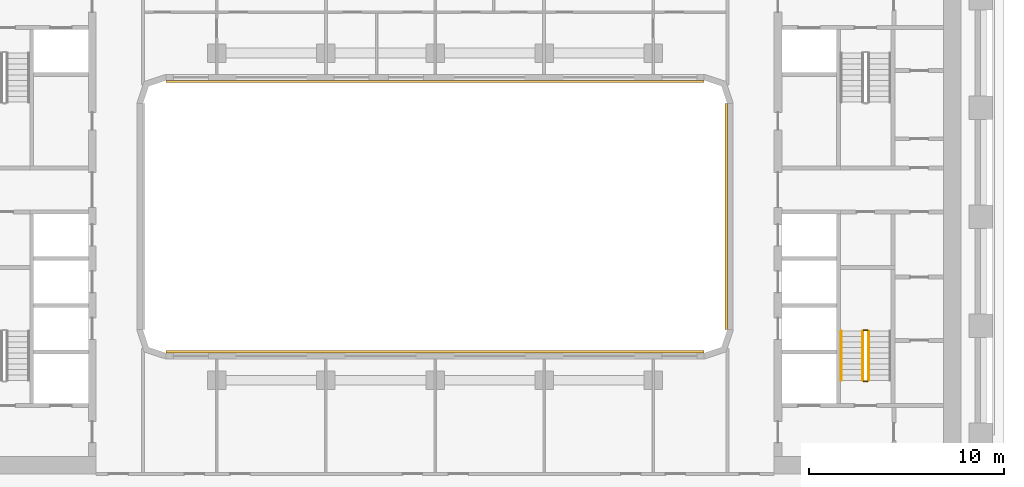
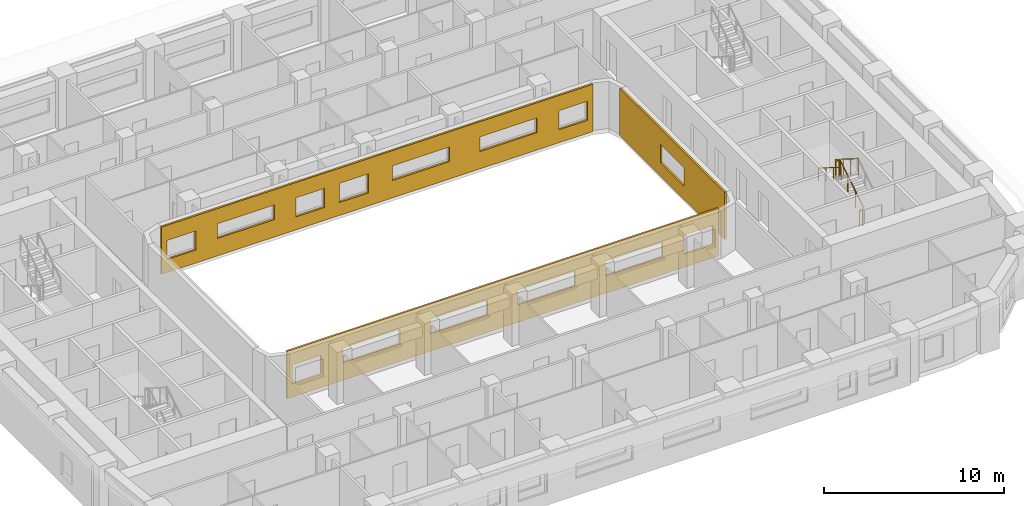
# One storey, part 16 of 21: 5 railings, 3 coverings.
"""IFC4 building model written with IfcOpenShell, lengths in metres."""

from ifc_helpers import new_model, si_unit, direction, frame, origin, origin_2d, place, context, subcontext, project, spatial, polyline, circle, outline, extrude, material, layer, layer_set, type_object, element, save


model = new_model("IFC4")

# Units and contexts
model_context = context("Model", 3, precision=1e-05, world=origin(), true_north=direction((0.0, 1.0)))
body_context = subcontext(model_context, "Body", "Model", "MODEL_VIEW")
ifc_project = project(units=[si_unit("LENGTHUNIT", "METRE"), si_unit("AREAUNIT", "SQUARE_METRE"), si_unit("VOLUMEUNIT", "CUBIC_METRE"), si_unit("PLANEANGLEUNIT", "RADIAN"), si_unit("MASSUNIT", "GRAM", prefix="KILO")], contexts=[model_context])

# Site, building, storey
site_placement = place(None, origin())
site = spatial("IfcSite", under=ifc_project, at=site_placement, CompositionType="ELEMENT")
building_placement = place(site_placement, origin())
building = spatial("IfcBuilding", under=site, at=building_placement, Name="Kiln Ring Residences", CompositionType="ELEMENT")
storey_placement = place(building_placement, frame((0.0, 0.0, 114.800048828125)))
storey = spatial("IfcBuildingStorey", under=building, at=storey_placement, Name="L29", CompositionType="ELEMENT", Elevation=114.800048828125)

# Railings
ifc_material_1 = material(Name="Stainless steel", Category="steel")
railing_type_1 = type_object("IfcRailingType", Name="CORE-STAIR-GUARD", PredefinedType="GUARDRAIL", material=ifc_material_1)
railing_1_placement = place(storey_placement, frame((22.25, -8.39990234375, 0.175048828125)))
element("IfcRailing", 1, at=railing_1_placement, inside=storey, type_object=railing_type_1, Name="L29 E-STS stair guard 1", PredefinedType="GUARDRAIL", context=body_context, shape_type="SweptSolid", body=[
    extrude(circle(Radius=0.02392578125, at=origin_2d()), frame((0.0, 0.0, 1.076171875), z_axis=(0.0, 0.848007534815, 0.529984170421), x_axis=(-1.0, 0.0, 0.0)), (0.0, 0.0, 1.0), 2.9716796875),
    extrude(circle(Radius=0.02099609375, at=origin_2d()), origin(), (0.0, 0.0, 1.0), 1.052001953125),
    extrude(circle(Radius=0.02099609375, at=origin_2d()), frame((0.0, 0.840087890625, 0.52490234375)), (0.0, 0.0, 1.0), 1.052001953125),
    extrude(circle(Radius=0.02099609375, at=origin_2d()), frame((0.0, 1.679931640625, 1.050048828125)), (0.0, 0.0, 1.0), 1.052001953125),
    extrude(circle(Radius=0.02099609375, at=origin_2d()), frame((0.0, 2.52001953125, 1.574951171875)), (0.0, 0.0, 1.0), 1.052001953125),
])
railing_2_placement = place(storey_placement, frame((22.199951171875, -5.830078125, 1.75)))
element("IfcRailing", 2, at=railing_2_placement, inside=storey, type_object=railing_type_1, Name="L29 E-STS stair guard 2", PredefinedType="GUARDRAIL", context=body_context, shape_type="SweptSolid", body=[
    extrude(circle(Radius=0.02392578125, at=origin_2d()), frame((0.0, 0.0, 1.076171875), z_axis=(-1.0, 0.0, 0.0), x_axis=(0.0, -1.0, 0.0)), (0.0, 0.0, 1.0), 0.199951171875),
    extrude(circle(Radius=0.02099609375, at=origin_2d()), origin(), (0.0, 0.0, 1.0), 1.052001953125),
    extrude(circle(Radius=0.02099609375, at=origin_2d()), frame((-0.199951171875, 0.0, 0.0)), (0.0, 0.0, 1.0), 1.052001953125),
])
railing_3_placement = place(storey_placement, frame((21.949951171875, -5.8798828125, 1.925048828125)))
element("IfcRailing", 3, at=railing_3_placement, inside=storey, type_object=railing_type_1, Name="L29 E-STS stair guard 3", PredefinedType="GUARDRAIL", context=body_context, shape_type="SweptSolid", body=[
    extrude(circle(Radius=0.02392578125, at=origin_2d()), frame((0.0, 0.0, 1.076171875), z_axis=(0.0, -0.848007534815, 0.529984170421), x_axis=(1.0, 0.0, 0.0)), (0.0, 0.0, 1.0), 2.9716796875),
    extrude(circle(Radius=0.02099609375, at=origin_2d()), origin(), (0.0, 0.0, 1.0), 1.052001953125),
    extrude(circle(Radius=0.02099609375, at=origin_2d()), frame((0.0, -0.840087890625, 0.52490234375)), (0.0, 0.0, 1.0), 1.052001953125),
    extrude(circle(Radius=0.02099609375, at=origin_2d()), frame((0.0, -1.679931640625, 1.050048828125)), (0.0, 0.0, 1.0), 1.052001953125),
    extrude(circle(Radius=0.02099609375, at=origin_2d()), frame((0.0, -2.52001953125, 1.574951171875)), (0.0, 0.0, 1.0), 1.052001953125),
])
railing_4_placement = place(storey_placement, frame((22.199951171875, -8.449951171875, 0.0)))
element("IfcRailing", 4, at=railing_4_placement, inside=storey, type_object=railing_type_1, Name="L29 E-STS stair guard 4", PredefinedType="GUARDRAIL", context=body_context, shape_type="SweptSolid", body=[
    extrude(circle(Radius=0.02392578125, at=origin_2d()), frame((0.0, 0.0, 1.076171875), z_axis=(-1.0, 0.0, 0.0), x_axis=(0.0, -1.0, 0.0)), (0.0, 0.0, 1.0), 0.199951171875),
    extrude(circle(Radius=0.02099609375, at=origin_2d()), origin(), (0.0, 0.0, 1.0), 1.052001953125),
    extrude(circle(Radius=0.02099609375, at=origin_2d()), frame((-0.199951171875, 0.0, 0.0)), (0.0, 0.0, 1.0), 1.052001953125),
])
ifc_material_2 = material(Name="Stainless steel", Category="steel")
railing_type_2 = type_object("IfcRailingType", Name="CORE-STAIR-HANDRAIL", PredefinedType="HANDRAIL", material=ifc_material_2)
railing_5_placement = place(storey_placement, frame((20.85009765625, -5.8798828125, 1.925048828125)))
element("IfcRailing", 5, at=railing_5_placement, inside=storey, type_object=railing_type_2, Name="L29 E-STS stair handrail 2", PredefinedType="HANDRAIL", context=body_context, shape_type="SweptSolid", body=[
    extrude(circle(Radius=0.02392578125, at=origin_2d()), frame((0.0, 0.0, 0.8759765625), z_axis=(0.0, -0.848007534815, 0.529984170421), x_axis=(1.0, 0.0, 0.0)), (0.0, 0.0, 1.0), 2.9716796875),
    extrude(circle(Radius=0.02099609375, at=origin_2d()), origin(), (0.0, 0.0, 1.0), 0.851806640625),
    extrude(circle(Radius=0.02099609375, at=origin_2d()), frame((0.0, -0.840087890625, 0.52490234375)), (0.0, 0.0, 1.0), 0.851806640625),
    extrude(circle(Radius=0.02099609375, at=origin_2d()), frame((0.0, -1.679931640625, 1.050048828125)), (0.0, 0.0, 1.0), 0.851806640625),
    extrude(circle(Radius=0.02099609375, at=origin_2d()), frame((0.0, -2.52001953125, 1.574951171875)), (0.0, 0.0, 1.0), 0.851806640625),
])

# Coverings
ifc_material_3 = material(Name="Brick masonry, dark clay brick", Category="masonry")
ifc_layer = layer(ifc_material_3, 0.1201171875)
ifc_layer_set = layer_set([ifc_layer], Name="RAINSCREEN PANEL 120")
covering_type = type_object("IfcCoveringType", Name="RAINSCREEN PANEL 120", PredefinedType="CLADDING", material=ifc_layer_set)
covering_1_placement = place(storey_placement, frame((-13.800048828125, 6.93994140625, 0.0), z_axis=(0.0, 0.0, 1.0), x_axis=(1.0, 0.0, 0.0)))
element("IfcCovering", 6, at=covering_1_placement, inside=storey, type_object=covering_type, Name="RAINSCREEN L29", PredefinedType="CLADDING", context=body_context, shape_type="SweptSolid", body=[
    extrude(outline(polyline([(0.0, 0.0), (27.60009765625, 0.0), (27.60009765625, 3.199951171875), (0.0, 3.199951171875), (0.0, 0.0)]), holes=[polyline([(2.1826171875, 0.8798828125), (2.1826171875, 2.169921875), (0.342529296875, 2.169921875), (0.342529296875, 0.8798828125), (2.1826171875, 0.8798828125)]), polyline([(8.580078125, 0.8798828125), (10.419921875, 0.8798828125), (10.419921875, 2.169921875), (8.580078125, 2.169921875), (8.580078125, 0.8798828125)]), polyline([(11.3798828125, 0.8798828125), (13.219970703125, 0.8798828125), (13.219970703125, 2.169921875), (11.3798828125, 2.169921875), (11.3798828125, 0.8798828125)]), polyline([(25.41748046875, 0.8798828125), (27.257568359375, 0.8798828125), (27.257568359375, 2.169921875), (25.41748046875, 2.169921875), (25.41748046875, 0.8798828125)]), polyline([(3.580078125, 1.179931640625), (7.219970703125, 1.179931640625), (7.219970703125, 2.169921875), (3.580078125, 2.169921875), (3.580078125, 1.179931640625)]), polyline([(14.780029296875, 1.179931640625), (18.419921875, 1.179931640625), (18.419921875, 2.169921875), (14.780029296875, 2.169921875), (14.780029296875, 1.179931640625)]), polyline([(20.3798828125, 1.179931640625), (24.02001953125, 1.179931640625), (24.02001953125, 2.169921875), (20.3798828125, 2.169921875), (20.3798828125, 1.179931640625)])]), frame((0.0, 0.06005859375, 0.0), z_axis=(0.0, -1.0, 0.0), x_axis=(1.0, 0.0, 0.0)), (0.0, 0.0, 1.0), 0.1201171875),
])
covering_2_placement = place(storey_placement, frame((14.93994140625, 5.800048828125, 0.0), z_axis=(0.0, 0.0, 1.0), x_axis=(0.0, -1.0, 0.0)))
element("IfcCovering", 7, at=covering_2_placement, inside=storey, type_object=covering_type, Name="RAINSCREEN L29", PredefinedType="CLADDING", context=body_context, shape_type="SweptSolid", body=[
    extrude(outline(polyline([(0.0, 0.0), (11.60009765625, 0.0), (11.60009765625, 3.199951171875), (0.0, 3.199951171875), (0.0, 0.0)]), holes=[polyline([(4.5, 2.14990234375), (4.5, 0.89990234375), (7.10009765625, 0.89990234375), (7.10009765625, 2.14990234375), (4.5, 2.14990234375)])]), frame((0.0, 0.06005859375, 0.0), z_axis=(0.0, -1.0, 0.0), x_axis=(1.0, 0.0, 0.0)), (0.0, 0.0, 1.0), 0.1201171875),
])
covering_3_placement = place(storey_placement, frame((13.800048828125, -6.93994140625, 0.0), z_axis=(0.0, 0.0, 1.0), x_axis=(-1.0, 0.0, 0.0)))
element("IfcCovering", 8, at=covering_3_placement, inside=storey, type_object=covering_type, Name="RAINSCREEN L29", PredefinedType="CLADDING", context=body_context, shape_type="SweptSolid", body=[
    extrude(outline(polyline([(0.0, 0.0), (27.60009765625, 0.0), (27.60009765625, 3.199951171875), (0.0, 3.199951171875), (0.0, 0.0)]), holes=[polyline([(2.1826171875, 0.8798828125), (2.1826171875, 2.169921875), (0.342529296875, 2.169921875), (0.342529296875, 0.8798828125), (2.1826171875, 0.8798828125)]), polyline([(25.41748046875, 0.8798828125), (27.257568359375, 0.8798828125), (27.257568359375, 2.169921875), (25.41748046875, 2.169921875), (25.41748046875, 0.8798828125)]), polyline([(3.580078125, 1.179931640625), (7.219970703125, 1.179931640625), (7.219970703125, 2.169921875), (3.580078125, 2.169921875), (3.580078125, 1.179931640625)]), polyline([(12.820068359375, 1.179931640625), (12.820068359375, 2.169921875), (9.179931640625, 2.169921875), (9.179931640625, 1.179931640625), (12.820068359375, 1.179931640625)]), polyline([(14.780029296875, 1.179931640625), (18.419921875, 1.179931640625), (18.419921875, 2.169921875), (14.780029296875, 2.169921875), (14.780029296875, 1.179931640625)]), polyline([(20.3798828125, 1.179931640625), (24.02001953125, 1.179931640625), (24.02001953125, 2.169921875), (20.3798828125, 2.169921875), (20.3798828125, 1.179931640625)])]), frame((0.0, 0.06005859375, 0.0), z_axis=(0.0, -1.0, 0.0), x_axis=(1.0, 0.0, 0.0)), (0.0, 0.0, 1.0), 0.1201171875),
])

save(model, "model.ifc")
